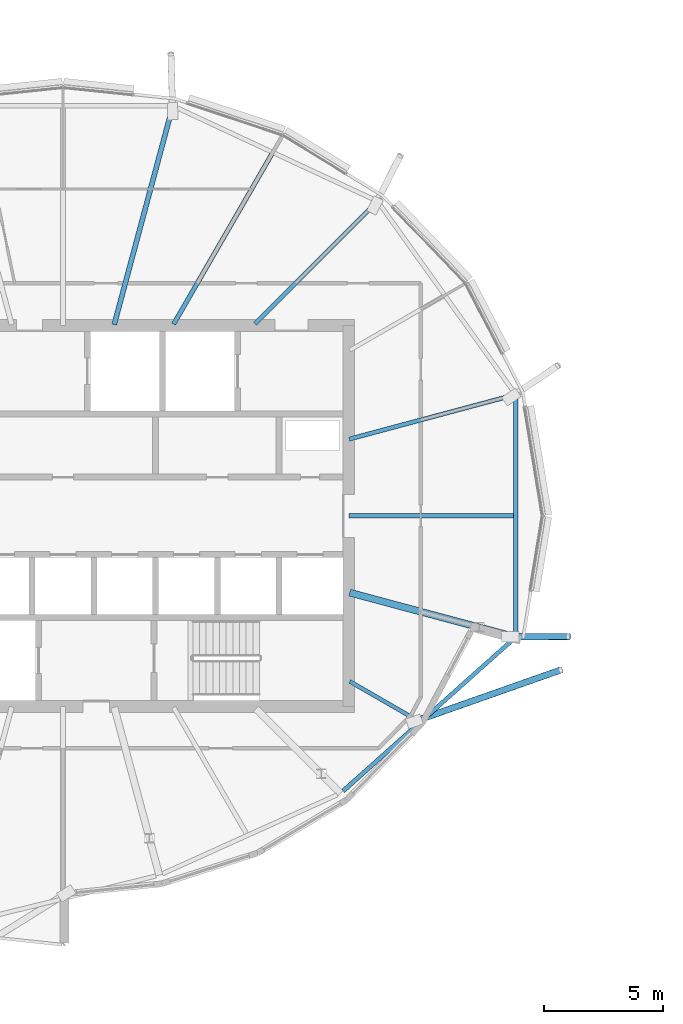
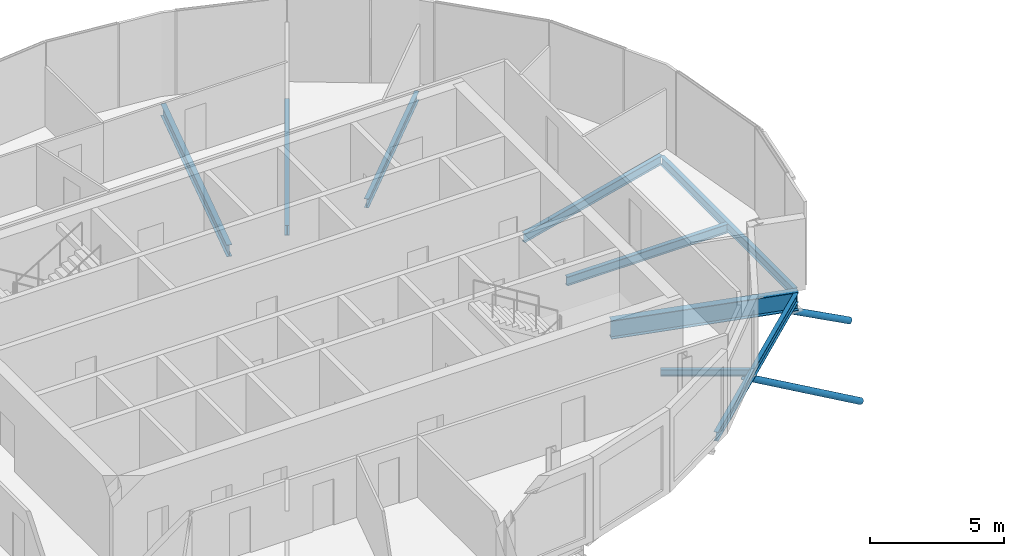
# One storey, part 6 of 36: 9 beams, 2 members.
"""IFC4 building model written with IfcOpenShell, lengths in metres."""

from ifc_helpers import new_model, si_unit, direction, frame, origin, origin_2d, place, context, subcontext, project, spatial, hollow_circle, i_section, extrude, clip, halfspace, material, material_profile, profile_set, type_object, element, save


model = new_model("IFC4")

# Units and contexts
model_context = context("Model", 3, precision=1e-05, world=origin(), true_north=direction((0.0, 1.0)))
body_context = subcontext(model_context, "Body", "Model", "MODEL_VIEW")
ifc_project = project(units=[si_unit("LENGTHUNIT", "METRE"), si_unit("AREAUNIT", "SQUARE_METRE"), si_unit("VOLUMEUNIT", "CUBIC_METRE"), si_unit("PLANEANGLEUNIT", "RADIAN"), si_unit("MASSUNIT", "GRAM", prefix="KILO")], contexts=[model_context])

# Site, building, storey
site_placement = place(None, origin())
site = spatial("IfcSite", under=ifc_project, at=site_placement, CompositionType="ELEMENT")
building_placement = place(site_placement, origin())
building = spatial("IfcBuilding", under=site, at=building_placement, Name="Rimbun Link Towers", CompositionType="ELEMENT")
storey_placement = place(building_placement, frame((0.0, 0.0, 248.5)))
storey = spatial("IfcBuildingStorey", under=building, at=storey_placement, Name="L61", CompositionType="ELEMENT", Elevation=248.5)

# Members
ifc_material_1 = material(Name="Steel S355J2H", Category="steel")
ifc_material_profile_1 = material_profile(ifc_material_1, hollow_circle(Radius=0.136474609375, WallThickness=0.012451171875, at=origin_2d()), Name="CHS 273x12.5")
ifc_profile_set_1 = profile_set([ifc_material_profile_1], Name="Steel S355J2H")
member_type = type_object("IfcMemberType", Name="Floor edge link CHS 273x12.5", PredefinedType="BRACE", material=ifc_profile_set_1)
member_1_placement = place(storey_placement, frame((-16.867919921875, -8.592041015625, -0.556396484375), z_axis=(0.773589115357, 0.272124958872, -0.572283048291), x_axis=(-0.331836977407, 0.943336748158, 0.0)))
element("IfcMember", 1, at=member_1_placement, inside=storey, type_object=member_type, Name="Floor edge link T1 L61 22", PredefinedType="BRACE", context=body_context, shape_type="Clipping", body=[
    clip(extrude(hollow_circle(Radius=0.136474609375, WallThickness=0.012451171875, at=origin_2d()), frame((0.0, 0.0, -0.40869140625)), (0.0, 0.0, 1.0), 8.203369140625), halfspace(frame((0.0, 0.0, -0.19384765625), z_axis=(0.0, 0.82005616432, -0.572283048291)), False)),
])
member_2_placement = place(storey_placement, frame((-12.786376953125, -5.081298828125, -1.100830078125), z_axis=(0.882639505314, 0.004597080757, -0.470028052894), x_axis=(-0.005208262692, 0.999986436908, 0.0)))
element("IfcMember", 2, at=member_2_placement, inside=storey, type_object=member_type, Name="Floor edge link T1 L61 23", PredefinedType="BRACE", context=body_context, shape_type="Clipping", body=[
    clip(extrude(hollow_circle(Radius=0.136474609375, WallThickness=0.012451171875, at=origin_2d()), frame((0.0, 0.0, -0.533935546875)), (0.0, 0.0, 1.0), 3.13623046875), halfspace(frame((0.0, 0.0, -0.251220703125), z_axis=(0.0, 0.882651476798, -0.470028052894)), False)),
])

# Beams
ifc_material_2 = material(Name="Steel S355J2", Category="steel")
ifc_material_profile_2 = material_profile(ifc_material_2, i_section(OverallWidth=0.1650390625, OverallDepth=0.303466796875, WebThickness=0.006103515625, FlangeThickness=0.01025390625, at=origin_2d()), Name="UB 305x165x40")
ifc_profile_set_2 = profile_set([ifc_material_profile_2], Name="Steel S355J2")
beam_type_1 = type_object("IfcBeamType", Name="UB 305x165x40", PredefinedType="BEAM", material=ifc_profile_set_2)
beam_1_placement = place(storey_placement, frame((-19.7080078125, -6.952392578125, -0.291748046875), z_axis=(0.866009739348, -0.500027130619, 0.0), x_axis=(0.500027130619, 0.866009739348, 0.0)))
element("IfcBeam", 3, at=beam_1_placement, inside=storey, type_object=beam_type_1, Name="Radial beam T1 L61 22", PredefinedType="BEAM", context=body_context, shape_type="SweptSolid", body=[
    extrude(i_section(OverallWidth=0.1650390625, OverallDepth=0.303466796875, WebThickness=0.006103515625, FlangeThickness=0.01025390625, at=origin_2d()), origin(), (0.0, 0.0, 1.0), 3.329345703125),
])
ifc_material_3 = material(Name="Steel S355J2", Category="steel")
ifc_material_profile_3 = material_profile(ifc_material_3, i_section(OverallWidth=0.177978515625, OverallDepth=0.406494140625, WebThickness=0.0078125, FlangeThickness=0.0126953125, at=origin_2d()), Name="UB 406x178x60")
ifc_profile_set_3 = profile_set([ifc_material_profile_3], Name="Steel S355J2")
beam_type_2 = type_object("IfcBeamType", Name="UB 406x178x60", PredefinedType="BEAM", material=ifc_profile_set_3)
beam_2_placement = place(storey_placement, frame((-19.7490234375, 0.0, -0.34326171875), z_axis=(1.0, 0.0, 0.0), x_axis=(0.0, 1.0, 0.0)))
element("IfcBeam", 4, at=beam_2_placement, inside=storey, type_object=beam_type_2, Name="Radial beam T1 L61 00", PredefinedType="BEAM", context=body_context, shape_type="SweptSolid", body=[
    extrude(i_section(OverallWidth=0.177978515625, OverallDepth=0.406494140625, WebThickness=0.0078125, FlangeThickness=0.0126953125, at=origin_2d()), origin(), (0.0, 0.0, 1.0), 6.921142578125),
])
beam_3_placement = place(storey_placement, frame((-19.72607421875, 3.2216796875, -0.34326171875), z_axis=(0.965921690002, 0.258834481442, 0.0), x_axis=(-0.258834481442, 0.965921690002, 0.0)))
element("IfcBeam", 5, at=beam_3_placement, inside=storey, type_object=beam_type_2, Name="Radial beam T1 L61 01", PredefinedType="BEAM", context=body_context, shape_type="SweptSolid", body=[
    extrude(i_section(OverallWidth=0.177978515625, OverallDepth=0.406494140625, WebThickness=0.0078125, FlangeThickness=0.0126953125, at=origin_2d()), origin(), (0.0, 0.0, 1.0), 7.234619140625),
])
beam_4_placement = place(storey_placement, frame((-23.686279296875, 8.063720703125, -0.34326171875), z_axis=(0.707106781187, 0.707106781187, 0.0), x_axis=(-0.707106781187, 0.707106781187, 0.0)))
element("IfcBeam", 6, at=beam_4_placement, inside=storey, type_object=beam_type_2, Name="Radial beam T1 L61 03", PredefinedType="BEAM", context=body_context, shape_type="SweptSolid", body=[
    extrude(i_section(OverallWidth=0.177978515625, OverallDepth=0.406494140625, WebThickness=0.0078125, FlangeThickness=0.0126953125, at=origin_2d()), origin(), (0.0, 0.0, 1.0), 7.2783203125),
])
beam_5_placement = place(storey_placement, frame((-19.98583984375, -11.555908203125, -0.34326171875), z_axis=(0.746419529158, 0.665475684372, 0.0), x_axis=(-0.665475684372, 0.746419529158, 0.0)))
element("IfcBeam", 7, at=beam_5_placement, inside=storey, type_object=beam_type_2, Name="Edge beam T1 L61 21-23", PredefinedType="BEAM", context=body_context, shape_type="SweptSolid", body=[
    extrude(i_section(OverallWidth=0.177978515625, OverallDepth=0.406494140625, WebThickness=0.0078125, FlangeThickness=0.0126953125, at=origin_2d()), origin(), (0.0, 0.0, 1.0), 9.5341796875),
])
beam_6_placement = place(storey_placement, frame((-12.738037109375, -4.94189453125, -0.34326171875), z_axis=(0.0, 1.0, 0.0), x_axis=(-1.0, 0.0, 0.0)))
element("IfcBeam", 8, at=beam_6_placement, inside=storey, type_object=beam_type_2, Name="Edge beam T1 L61 23-01", PredefinedType="BEAM", context=body_context, shape_type="SweptSolid", body=[
    extrude(i_section(OverallWidth=0.177978515625, OverallDepth=0.406494140625, WebThickness=0.0078125, FlangeThickness=0.0126953125, at=origin_2d()), origin(), (0.0, 0.0, 1.0), 9.943115234375),
])
ifc_material_4 = material(Name="Steel S355J2", Category="steel")
ifc_material_profile_4 = material_profile(ifc_material_4, i_section(OverallWidth=0.18994140625, OverallDepth=0.453369140625, WebThickness=0.008544921875, FlangeThickness=0.0126953125, at=origin_2d()), Name="UB 457x191x67")
ifc_profile_set_4 = profile_set([ifc_material_profile_4], Name="Steel S355J2")
beam_type_3 = type_object("IfcBeamType", Name="UB 457x191x67", PredefinedType="BEAM", material=ifc_profile_set_4)
beam_7_placement = place(storey_placement, frame((-27.103271484375, 8.04833984375, -0.36669921875), z_axis=(0.499996112969, 0.866027647951, 0.0), x_axis=(-0.866027647951, 0.499996112969, 0.0)))
element("IfcBeam", 9, at=beam_7_placement, inside=storey, type_object=beam_type_3, Name="Radial beam T1 L61 04", PredefinedType="BEAM", context=body_context, shape_type="SweptSolid", body=[
    extrude(i_section(OverallWidth=0.18994140625, OverallDepth=0.453369140625, WebThickness=0.008544921875, FlangeThickness=0.0126953125, at=origin_2d()), origin(), (0.0, 0.0, 1.0), 8.2373046875),
])
ifc_material_5 = material(Name="Steel S355J2", Category="steel")
ifc_material_profile_5 = material_profile(ifc_material_5, i_section(OverallWidth=0.209228515625, OverallDepth=0.533203125, WebThickness=0.010009765625, FlangeThickness=0.015625, at=origin_2d()), Name="UB 533x210x92")
ifc_profile_set_5 = profile_set([ifc_material_profile_5], Name="Steel S355J2")
beam_type_4 = type_object("IfcBeamType", Name="UB 533x210x92", PredefinedType="BEAM", material=ifc_profile_set_5)
beam_8_placement = place(storey_placement, frame((-29.598876953125, 8.028076171875, -0.406494140625), z_axis=(0.258819047307, 0.965925825698, 0.0), x_axis=(-0.965925825698, 0.258819047307, 0.0)))
element("IfcBeam", 10, at=beam_8_placement, inside=storey, type_object=beam_type_4, Name="Radial beam T1 L61 05", PredefinedType="BEAM", context=body_context, shape_type="SweptSolid", body=[
    extrude(i_section(OverallWidth=0.209228515625, OverallDepth=0.533203125, WebThickness=0.010009765625, FlangeThickness=0.015625, at=origin_2d()), origin(), (0.0, 0.0, 1.0), 9.51220703125),
])
ifc_material_6 = material(Name="Steel S355J2", Category="steel")
ifc_material_profile_6 = material_profile(ifc_material_6, i_section(OverallWidth=0.29248046875, OverallDepth=0.8408203125, WebThickness=0.0126953125, FlangeThickness=0.021728515625, at=origin_2d()), Name="UB 838x292x194")
ifc_profile_set_6 = profile_set([ifc_material_profile_6], Name="Steel S355J2")
beam_type_5 = type_object("IfcBeamType", Name="UB 838x292x194", PredefinedType="BEAM", material=ifc_profile_set_6)
beam_9_placement = place(storey_placement, frame((-19.711181640625, -3.225830078125, -0.560302734375), z_axis=(0.965927219891, -0.258813844052, 0.0), x_axis=(0.258813844052, 0.965927219891, 0.0)))
element("IfcBeam", 11, at=beam_9_placement, inside=storey, type_object=beam_type_5, Name="Radial beam T1 L61 23", PredefinedType="BEAM", context=body_context, shape_type="SweptSolid", body=[
    extrude(i_section(OverallWidth=0.29248046875, OverallDepth=0.8408203125, WebThickness=0.0126953125, FlangeThickness=0.021728515625, at=origin_2d()), origin(), (0.0, 0.0, 1.0), 7.21923828125),
])

save(model, "model.ifc")
